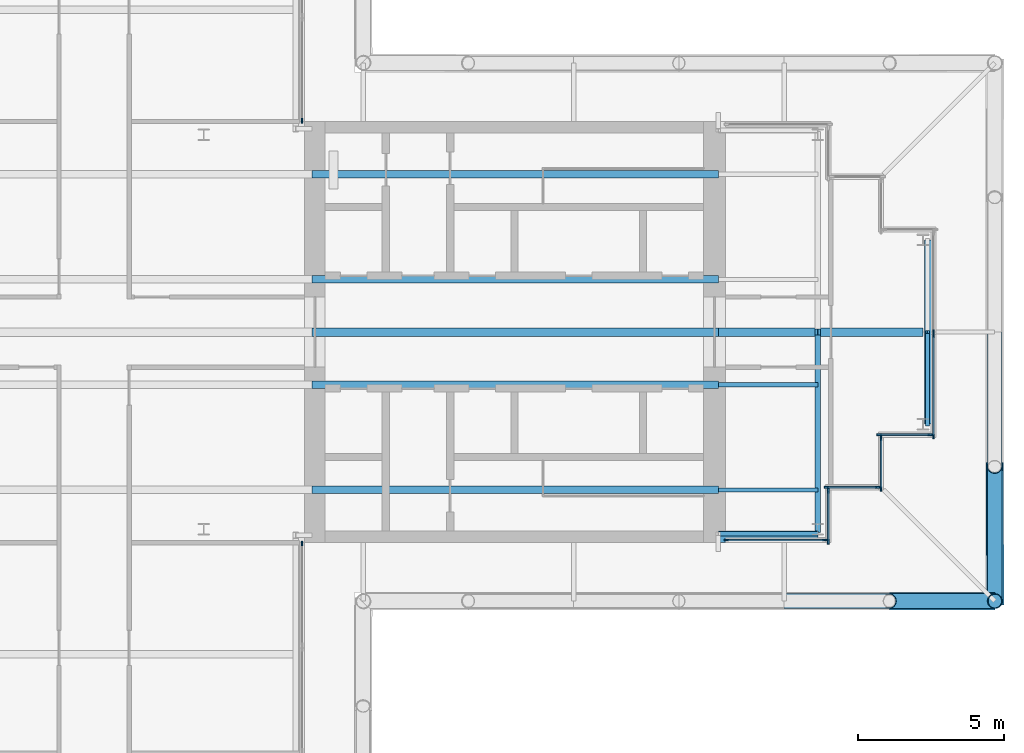
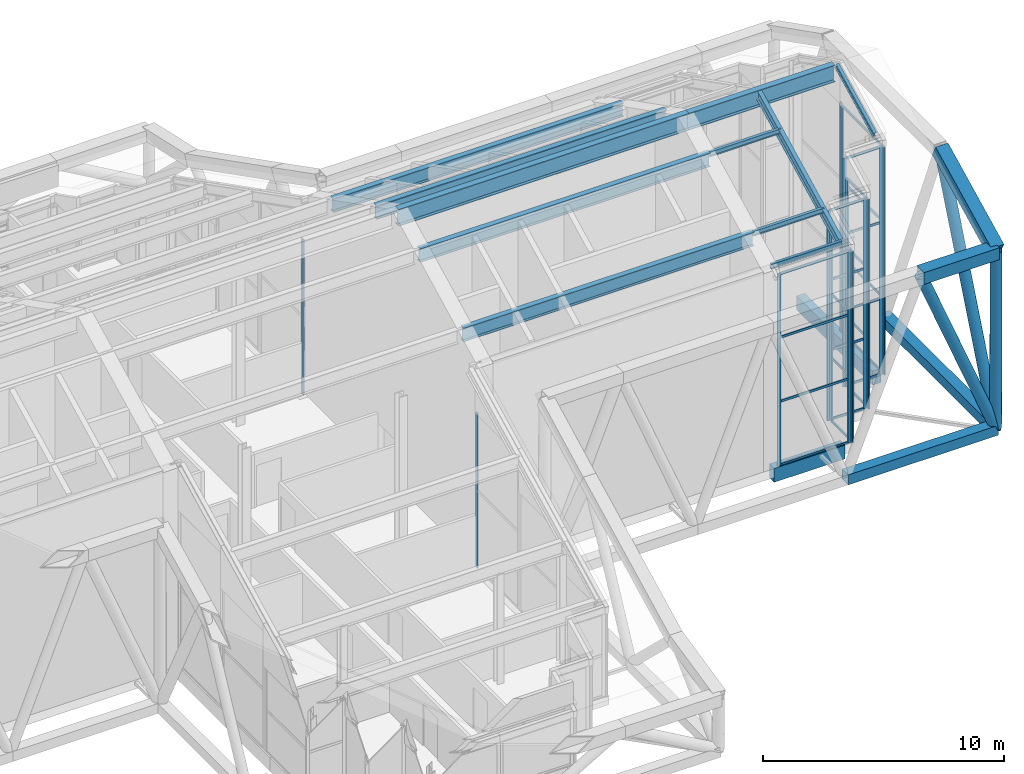
# One storey, part 10 of 25: 46 members, 13 beams, 9 elements without a shape of their own.
"""IFC4 building model written with IfcOpenShell, lengths in metres."""

from ifc_helpers import new_model, si_unit, direction, frame, origin, origin_2d, place, context, subcontext, project, spatial, rectangle, hollow_rectangle, hollow_circle, i_section, extrude, material, material_profile, profile_set, type_object, element, aggregate, save


model = new_model("IFC4")

# Units and contexts
model_context = context("Model", 3, precision=1e-05, world=origin(), true_north=direction((0.0, 1.0)))
body_context = subcontext(model_context, "Body", "Model", "MODEL_VIEW")
ifc_project = project(units=[si_unit("LENGTHUNIT", "METRE"), si_unit("AREAUNIT", "SQUARE_METRE"), si_unit("VOLUMEUNIT", "CUBIC_METRE"), si_unit("PLANEANGLEUNIT", "RADIAN"), si_unit("MASSUNIT", "GRAM", prefix="KILO")], contexts=[model_context])

# Site, building, storey
site_placement = place(None, origin())
site = spatial("IfcSite", under=ifc_project, at=site_placement, CompositionType="ELEMENT")
building_placement = place(site_placement, origin())
building = spatial("IfcBuilding", under=site, at=building_placement, Name="Fustian Cross Tower", CompositionType="ELEMENT")
storey_placement = place(building_placement, frame((0.0, 0.0, 247.5)))
storey = spatial("IfcBuildingStorey", under=building, at=storey_placement, Name="L77", CompositionType="ELEMENT", Elevation=247.5)

# Curtain wall, members
ifc_material_1 = material(Name="Glass", Category="glass")
curtain_wall_type = type_object("IfcCurtainWallType", Name="CW6 CURTAIN WALL", PredefinedType="NOTDEFINED", material=ifc_material_1)
curtain_wall_1_placement = place(storey_placement, origin())
curtain_wall_1 = element("IfcCurtainWall", 1, at=curtain_wall_1_placement, inside=storey, type_object=curtain_wall_type, Name="Curtain wall CW6", PredefinedType="NOTDEFINED")
ifc_material_2 = material(Name="Aluminium alloy 6063", Category="aluminium")
ifc_material_profile_1 = material_profile(ifc_material_2, rectangle(XDim=0.06005859375, YDim=0.159912109375, at=origin_2d()), Name="CW6 MULLION 60x160")
ifc_profile_set_1 = profile_set([ifc_material_profile_1], Name="Aluminium alloy 6063")
member_type_1 = type_object("IfcMemberType", Name="CW6 MULLION 60x160", PredefinedType="MULLION", material=ifc_profile_set_1)
member_1_placement = place(storey_placement, frame((21.6298828125, -7.110107421875, 0.0), z_axis=(0.0, 0.0, 1.0), x_axis=(0.0, 1.0, 0.0)))
member_1 = element("IfcMember", 2, at=member_1_placement, type_object=member_type_1, Name="CW6 mullion 1", PredefinedType="MULLION", context=body_context, shape_type="SweptSolid", body=[
    extrude(rectangle(XDim=0.06005859375, YDim=0.159912109375, at=origin_2d()), origin(), (0.0, 0.0, 1.0), 9.729248046875),
])
member_2_placement = place(storey_placement, frame((24.989990234375, -7.110107421875, 0.0), z_axis=(0.0, 0.0, 1.0), x_axis=(0.0, 1.0, 0.0)))
member_2 = element("IfcMember", 3, at=member_2_placement, type_object=member_type_1, Name="CW6 mullion 2", PredefinedType="MULLION", context=body_context, shape_type="SweptSolid", body=[
    extrude(rectangle(XDim=0.06005859375, YDim=0.159912109375, at=origin_2d()), origin(), (0.0, 0.0, 1.0), 9.729248046875),
])

curtain_wall_2_placement = place(storey_placement, origin())
curtain_wall_2 = element("IfcCurtainWall", 4, at=curtain_wall_2_placement, inside=storey, type_object=curtain_wall_type, Name="Curtain wall CW6", PredefinedType="NOTDEFINED")
member_3_placement = place(storey_placement, frame((25.110107421875, -7.169921875, 0.0), z_axis=(0.0, 0.0, 1.0), x_axis=(-1.0, 0.0, 0.0)))
member_3 = element("IfcMember", 5, at=member_3_placement, type_object=member_type_1, Name="CW6 mullion 1", PredefinedType="MULLION", context=body_context, shape_type="SweptSolid", body=[
    extrude(rectangle(XDim=0.06005859375, YDim=0.159912109375, at=origin_2d()), origin(), (0.0, 0.0, 1.0), 9.683349609375),
])
member_4_placement = place(storey_placement, frame((25.110107421875, -5.429931640625, 0.0), z_axis=(0.0, 0.0, 1.0), x_axis=(-1.0, 0.0, 0.0)))
member_4 = element("IfcMember", 6, at=member_4_placement, type_object=member_type_1, Name="CW6 mullion 2", PredefinedType="MULLION", context=body_context, shape_type="SweptSolid", body=[
    extrude(rectangle(XDim=0.06005859375, YDim=0.159912109375, at=origin_2d()), origin(), (0.0, 0.0, 1.0), 9.683349609375),
])

curtain_wall_3_placement = place(storey_placement, origin())
curtain_wall_3 = element("IfcCurtainWall", 7, at=curtain_wall_3_placement, inside=storey, type_object=curtain_wall_type, Name="Curtain wall CW6", PredefinedType="NOTDEFINED")
member_5_placement = place(storey_placement, frame((25.050048828125, -5.31005859375, 0.0), z_axis=(0.0, 0.0, 1.0), x_axis=(0.0, 1.0, 0.0)))
member_5 = element("IfcMember", 8, at=member_5_placement, type_object=member_type_1, Name="CW6 mullion 1", PredefinedType="MULLION", context=body_context, shape_type="SweptSolid", body=[
    extrude(rectangle(XDim=0.06005859375, YDim=0.159912109375, at=origin_2d()), origin(), (0.0, 0.0, 1.0), 10.645751953125),
])
member_6_placement = place(storey_placement, frame((26.7900390625, -5.31005859375, 0.0), z_axis=(0.0, 0.0, 1.0), x_axis=(0.0, 1.0, 0.0)))
member_6 = element("IfcMember", 9, at=member_6_placement, type_object=member_type_1, Name="CW6 mullion 2", PredefinedType="MULLION", context=body_context, shape_type="SweptSolid", body=[
    extrude(rectangle(XDim=0.06005859375, YDim=0.159912109375, at=origin_2d()), origin(), (0.0, 0.0, 1.0), 10.645751953125),
])

curtain_wall_4_placement = place(storey_placement, origin())
curtain_wall_4 = element("IfcCurtainWall", 10, at=curtain_wall_4_placement, inside=storey, type_object=curtain_wall_type, Name="Curtain wall CW6", PredefinedType="NOTDEFINED")
member_7_placement = place(storey_placement, frame((26.909912109375, -5.3701171875, 0.0), z_axis=(0.0, 0.0, 1.0), x_axis=(-1.0, 0.0, 0.0)))
member_7 = element("IfcMember", 11, at=member_7_placement, type_object=member_type_1, Name="CW6 mullion 1", PredefinedType="MULLION", context=body_context, shape_type="SweptSolid", body=[
    extrude(rectangle(XDim=0.06005859375, YDim=0.159912109375, at=origin_2d()), origin(), (0.0, 0.0, 1.0), 10.60009765625),
])
member_8_placement = place(storey_placement, frame((26.909912109375, -3.6298828125, 0.0), z_axis=(0.0, 0.0, 1.0), x_axis=(-1.0, 0.0, 0.0)))
member_8 = element("IfcMember", 12, at=member_8_placement, type_object=member_type_1, Name="CW6 mullion 2", PredefinedType="MULLION", context=body_context, shape_type="SweptSolid", body=[
    extrude(rectangle(XDim=0.06005859375, YDim=0.159912109375, at=origin_2d()), origin(), (0.0, 0.0, 1.0), 10.60009765625),
])

curtain_wall_5_placement = place(storey_placement, origin())
curtain_wall_5 = element("IfcCurtainWall", 13, at=curtain_wall_5_placement, inside=storey, type_object=curtain_wall_type, Name="Curtain wall CW6", PredefinedType="NOTDEFINED")
member_9_placement = place(storey_placement, frame((26.85009765625, -3.510009765625, 0.0), z_axis=(0.0, 0.0, 1.0), x_axis=(0.0, 1.0, 0.0)))
member_9 = element("IfcMember", 14, at=member_9_placement, type_object=member_type_1, Name="CW6 mullion 1", PredefinedType="MULLION", context=body_context, shape_type="SweptSolid", body=[
    extrude(rectangle(XDim=0.06005859375, YDim=0.159912109375, at=origin_2d()), origin(), (0.0, 0.0, 1.0), 11.5625),
])
member_10_placement = place(storey_placement, frame((28.590087890625, -3.510009765625, 0.0), z_axis=(0.0, 0.0, 1.0), x_axis=(0.0, 1.0, 0.0)))
member_10 = element("IfcMember", 15, at=member_10_placement, type_object=member_type_1, Name="CW6 mullion 2", PredefinedType="MULLION", context=body_context, shape_type="SweptSolid", body=[
    extrude(rectangle(XDim=0.06005859375, YDim=0.159912109375, at=origin_2d()), origin(), (0.0, 0.0, 1.0), 11.5625),
])

curtain_wall_6_placement = place(storey_placement, origin())
curtain_wall_6 = element("IfcCurtainWall", 16, at=curtain_wall_6_placement, inside=storey, type_object=curtain_wall_type, Name="Curtain wall CW6", PredefinedType="NOTDEFINED")
member_11_placement = place(storey_placement, frame((28.7099609375, -3.570068359375, 0.0), z_axis=(0.0, 0.0, 1.0), x_axis=(-1.0, 0.0, 0.0)))
member_11 = element("IfcMember", 17, at=member_11_placement, type_object=member_type_1, Name="CW6 mullion 1", PredefinedType="MULLION", context=body_context, shape_type="SweptSolid", body=[
    extrude(rectangle(XDim=0.06005859375, YDim=0.159912109375, at=origin_2d()), origin(), (0.0, 0.0, 1.0), 11.5166015625),
])
member_12_placement = place(storey_placement, frame((28.7099609375, -0.1201171875, 0.0), z_axis=(0.0, 0.0, 1.0), x_axis=(-1.0, 0.0, 0.0)))
member_12 = element("IfcMember", 18, at=member_12_placement, type_object=member_type_1, Name="CW6 mullion 2", PredefinedType="MULLION", context=body_context, shape_type="SweptSolid", body=[
    extrude(rectangle(XDim=0.06005859375, YDim=0.159912109375, at=origin_2d()), origin(), (0.0, 0.0, 1.0), 11.5166015625),
])

# Curtain wall, member
curtain_wall_7_placement = place(storey_placement, origin())
curtain_wall_7 = element("IfcCurtainWall", 19, at=curtain_wall_7_placement, inside=storey, type_object=curtain_wall_type, Name="Curtain wall CW6", PredefinedType="NOTDEFINED")
member_13_placement = place(storey_placement, frame((28.7099609375, 0.0, 0.0), z_axis=(0.0, 0.0, 1.0), x_axis=(-1.0, 0.0, 0.0)))
member_13 = element("IfcMember", 20, at=member_13_placement, type_object=member_type_1, Name="CW6 mullion 1", PredefinedType="MULLION", context=body_context, shape_type="SweptSolid", body=[
    extrude(rectangle(XDim=0.06005859375, YDim=0.159912109375, at=origin_2d()), origin(), (0.0, 0.0, 1.0), 11.6083984375),
])
aggregate(curtain_wall_7, [member_13])

curtain_wall_8_placement = place(storey_placement, origin())
curtain_wall_8 = element("IfcCurtainWall", 21, at=curtain_wall_8_placement, inside=storey, type_object=curtain_wall_type, Name="Curtain wall CW6", PredefinedType="NOTDEFINED")
member_14_placement = place(storey_placement, frame((7.110107421875, 7.22998046875, 0.0), z_axis=(0.0, 0.0, 1.0), x_axis=(-1.0, 0.0, 0.0)))
member_14 = element("IfcMember", 22, at=member_14_placement, type_object=member_type_1, Name="CW6 mullion 1", PredefinedType="MULLION", context=body_context, shape_type="SweptSolid", body=[
    extrude(rectangle(XDim=0.06005859375, YDim=0.159912109375, at=origin_2d()), origin(), (0.0, 0.0, 1.0), 7.880615234375),
])
aggregate(curtain_wall_8, [member_14])

curtain_wall_9_placement = place(storey_placement, origin())
curtain_wall_9 = element("IfcCurtainWall", 23, at=curtain_wall_9_placement, inside=storey, type_object=curtain_wall_type, Name="Curtain wall CW6", PredefinedType="NOTDEFINED")
member_15_placement = place(storey_placement, frame((7.110107421875, -7.22998046875, 0.0), z_axis=(0.0, 0.0, 1.0), x_axis=(-1.0, 0.0, 0.0)))
member_15 = element("IfcMember", 24, at=member_15_placement, type_object=member_type_1, Name="CW6 mullion 2", PredefinedType="MULLION", context=body_context, shape_type="SweptSolid", body=[
    extrude(rectangle(XDim=0.06005859375, YDim=0.159912109375, at=origin_2d()), origin(), (0.0, 0.0, 1.0), 7.85009765625),
])
aggregate(curtain_wall_9, [member_15])

# Member
ifc_material_3 = material(Name="Aluminium alloy 6063", Category="aluminium")
ifc_material_profile_2 = material_profile(ifc_material_3, rectangle(XDim=0.06005859375, YDim=0.1201171875, at=origin_2d()), Name="CW6 TRANSOM 60x120")
ifc_profile_set_2 = profile_set([ifc_material_profile_2], Name="Aluminium alloy 6063")
member_type_2 = type_object("IfcMemberType", Name="CW6 TRANSOM 60x120", PredefinedType="USERDEFINED", material=ifc_profile_set_2)
member_16_placement = place(storey_placement, frame((21.659912109375, -7.110107421875, 0.030029296875), z_axis=(1.0, 0.0, 0.0), x_axis=(0.0, 1.0, 0.0)))
member_16 = element("IfcMember", 25, at=member_16_placement, type_object=member_type_2, Name="CW6 transom 1.1", ObjectType="TRANSOM", PredefinedType="USERDEFINED", context=body_context, shape_type="SweptSolid", body=[
    extrude(rectangle(XDim=0.06005859375, YDim=0.1201171875, at=origin_2d()), origin(), (0.0, 0.0, 1.0), 3.300048828125),
])

member_17_placement = place(storey_placement, frame((21.659912109375, -7.110107421875, 3.2431640625), z_axis=(1.0, 0.0, 0.0), x_axis=(0.0, 1.0, 0.0)))
member_17 = element("IfcMember", 26, at=member_17_placement, type_object=member_type_2, Name="CW6 transom 1.2", ObjectType="TRANSOM", PredefinedType="USERDEFINED", context=body_context, shape_type="SweptSolid", body=[
    extrude(rectangle(XDim=0.06005859375, YDim=0.1201171875, at=origin_2d()), origin(), (0.0, 0.0, 1.0), 3.300048828125),
])

member_18_placement = place(storey_placement, frame((21.659912109375, -7.110107421875, 6.486083984375), z_axis=(1.0, 0.0, 0.0), x_axis=(0.0, 1.0, 0.0)))
member_18 = element("IfcMember", 27, at=member_18_placement, type_object=member_type_2, Name="CW6 transom 1.3", ObjectType="TRANSOM", PredefinedType="USERDEFINED", context=body_context, shape_type="SweptSolid", body=[
    extrude(rectangle(XDim=0.06005859375, YDim=0.1201171875, at=origin_2d()), origin(), (0.0, 0.0, 1.0), 3.300048828125),
])

member_19_placement = place(storey_placement, frame((21.659912109375, -7.110107421875, 9.69921875), z_axis=(1.0, 0.0, 0.0), x_axis=(0.0, 1.0, 0.0)))
member_19 = element("IfcMember", 28, at=member_19_placement, type_object=member_type_2, Name="CW6 transom 1.4", ObjectType="TRANSOM", PredefinedType="USERDEFINED", context=body_context, shape_type="SweptSolid", body=[
    extrude(rectangle(XDim=0.06005859375, YDim=0.1201171875, at=origin_2d()), origin(), (0.0, 0.0, 1.0), 3.300048828125),
])

aggregate(curtain_wall_1, [member_1, member_2, member_16, member_17, member_18, member_19])

member_20_placement = place(storey_placement, frame((25.110107421875, -7.139892578125, 0.030029296875), z_axis=(0.0, 1.0, 0.0), x_axis=(-1.0, 0.0, 0.0)))
member_20 = element("IfcMember", 29, at=member_20_placement, type_object=member_type_2, Name="CW6 transom 1.1", ObjectType="TRANSOM", PredefinedType="USERDEFINED", context=body_context, shape_type="SweptSolid", body=[
    extrude(rectangle(XDim=0.06005859375, YDim=0.1201171875, at=origin_2d()), origin(), (0.0, 0.0, 1.0), 1.679931640625),
])

member_21_placement = place(storey_placement, frame((25.110107421875, -7.139892578125, 3.227783203125), z_axis=(0.0, 1.0, 0.0), x_axis=(-1.0, 0.0, 0.0)))
member_21 = element("IfcMember", 30, at=member_21_placement, type_object=member_type_2, Name="CW6 transom 1.2", ObjectType="TRANSOM", PredefinedType="USERDEFINED", context=body_context, shape_type="SweptSolid", body=[
    extrude(rectangle(XDim=0.06005859375, YDim=0.1201171875, at=origin_2d()), origin(), (0.0, 0.0, 1.0), 1.679931640625),
])

member_22_placement = place(storey_placement, frame((25.110107421875, -7.139892578125, 6.45556640625), z_axis=(0.0, 1.0, 0.0), x_axis=(-1.0, 0.0, 0.0)))
member_22 = element("IfcMember", 31, at=member_22_placement, type_object=member_type_2, Name="CW6 transom 1.3", ObjectType="TRANSOM", PredefinedType="USERDEFINED", context=body_context, shape_type="SweptSolid", body=[
    extrude(rectangle(XDim=0.06005859375, YDim=0.1201171875, at=origin_2d()), origin(), (0.0, 0.0, 1.0), 1.679931640625),
])

member_23_placement = place(storey_placement, frame((25.110107421875, -7.139892578125, 9.6533203125), z_axis=(0.0, 1.0, 0.0), x_axis=(-1.0, 0.0, 0.0)))
member_23 = element("IfcMember", 32, at=member_23_placement, type_object=member_type_2, Name="CW6 transom 1.4", ObjectType="TRANSOM", PredefinedType="USERDEFINED", context=body_context, shape_type="SweptSolid", body=[
    extrude(rectangle(XDim=0.06005859375, YDim=0.1201171875, at=origin_2d()), origin(), (0.0, 0.0, 1.0), 1.679931640625),
])

aggregate(curtain_wall_2, [member_3, member_4, member_20, member_21, member_22, member_23])

member_24_placement = place(storey_placement, frame((25.080078125, -5.31005859375, 0.030029296875), z_axis=(1.0, 0.0, 0.0), x_axis=(0.0, 1.0, 0.0)))
member_24 = element("IfcMember", 33, at=member_24_placement, type_object=member_type_2, Name="CW6 transom 1.1", ObjectType="TRANSOM", PredefinedType="USERDEFINED", context=body_context, shape_type="SweptSolid", body=[
    extrude(rectangle(XDim=0.06005859375, YDim=0.1201171875, at=origin_2d()), origin(), (0.0, 0.0, 1.0), 1.679931640625),
])

member_25_placement = place(storey_placement, frame((25.080078125, -5.31005859375, 3.548583984375), z_axis=(1.0, 0.0, 0.0), x_axis=(0.0, 1.0, 0.0)))
member_25 = element("IfcMember", 34, at=member_25_placement, type_object=member_type_2, Name="CW6 transom 1.2", ObjectType="TRANSOM", PredefinedType="USERDEFINED", context=body_context, shape_type="SweptSolid", body=[
    extrude(rectangle(XDim=0.06005859375, YDim=0.1201171875, at=origin_2d()), origin(), (0.0, 0.0, 1.0), 1.679931640625),
])

member_26_placement = place(storey_placement, frame((25.080078125, -5.31005859375, 7.09716796875), z_axis=(1.0, 0.0, 0.0), x_axis=(0.0, 1.0, 0.0)))
member_26 = element("IfcMember", 35, at=member_26_placement, type_object=member_type_2, Name="CW6 transom 1.3", ObjectType="TRANSOM", PredefinedType="USERDEFINED", context=body_context, shape_type="SweptSolid", body=[
    extrude(rectangle(XDim=0.06005859375, YDim=0.1201171875, at=origin_2d()), origin(), (0.0, 0.0, 1.0), 1.679931640625),
])

member_27_placement = place(storey_placement, frame((25.080078125, -5.31005859375, 10.61572265625), z_axis=(1.0, 0.0, 0.0), x_axis=(0.0, 1.0, 0.0)))
member_27 = element("IfcMember", 36, at=member_27_placement, type_object=member_type_2, Name="CW6 transom 1.4", ObjectType="TRANSOM", PredefinedType="USERDEFINED", context=body_context, shape_type="SweptSolid", body=[
    extrude(rectangle(XDim=0.06005859375, YDim=0.1201171875, at=origin_2d()), origin(), (0.0, 0.0, 1.0), 1.679931640625),
])

aggregate(curtain_wall_3, [member_5, member_6, member_24, member_25, member_26, member_27])

member_28_placement = place(storey_placement, frame((26.909912109375, -5.340087890625, 0.030029296875), z_axis=(0.0, 1.0, 0.0), x_axis=(-1.0, 0.0, 0.0)))
member_28 = element("IfcMember", 37, at=member_28_placement, type_object=member_type_2, Name="CW6 transom 1.1", ObjectType="TRANSOM", PredefinedType="USERDEFINED", context=body_context, shape_type="SweptSolid", body=[
    extrude(rectangle(XDim=0.06005859375, YDim=0.1201171875, at=origin_2d()), origin(), (0.0, 0.0, 1.0), 1.68017578125),
])

member_29_placement = place(storey_placement, frame((26.909912109375, -5.340087890625, 3.533447265625), z_axis=(0.0, 1.0, 0.0), x_axis=(-1.0, 0.0, 0.0)))
member_29 = element("IfcMember", 38, at=member_29_placement, type_object=member_type_2, Name="CW6 transom 1.2", ObjectType="TRANSOM", PredefinedType="USERDEFINED", context=body_context, shape_type="SweptSolid", body=[
    extrude(rectangle(XDim=0.06005859375, YDim=0.1201171875, at=origin_2d()), origin(), (0.0, 0.0, 1.0), 1.68017578125),
])

member_30_placement = place(storey_placement, frame((26.909912109375, -5.340087890625, 7.066650390625), z_axis=(0.0, 1.0, 0.0), x_axis=(-1.0, 0.0, 0.0)))
member_30 = element("IfcMember", 39, at=member_30_placement, type_object=member_type_2, Name="CW6 transom 1.3", ObjectType="TRANSOM", PredefinedType="USERDEFINED", context=body_context, shape_type="SweptSolid", body=[
    extrude(rectangle(XDim=0.06005859375, YDim=0.1201171875, at=origin_2d()), origin(), (0.0, 0.0, 1.0), 1.68017578125),
])

member_31_placement = place(storey_placement, frame((26.909912109375, -5.340087890625, 10.570068359375), z_axis=(0.0, 1.0, 0.0), x_axis=(-1.0, 0.0, 0.0)))
member_31 = element("IfcMember", 40, at=member_31_placement, type_object=member_type_2, Name="CW6 transom 1.4", ObjectType="TRANSOM", PredefinedType="USERDEFINED", context=body_context, shape_type="SweptSolid", body=[
    extrude(rectangle(XDim=0.06005859375, YDim=0.1201171875, at=origin_2d()), origin(), (0.0, 0.0, 1.0), 1.68017578125),
])

aggregate(curtain_wall_4, [member_7, member_8, member_28, member_29, member_30, member_31])

member_32_placement = place(storey_placement, frame((26.8798828125, -3.510009765625, 0.030029296875), z_axis=(1.0, 0.0, 0.0), x_axis=(0.0, 1.0, 0.0)))
member_32 = element("IfcMember", 41, at=member_32_placement, type_object=member_type_2, Name="CW6 transom 1.1", ObjectType="TRANSOM", PredefinedType="USERDEFINED", context=body_context, shape_type="SweptSolid", body=[
    extrude(rectangle(XDim=0.06005859375, YDim=0.1201171875, at=origin_2d()), origin(), (0.0, 0.0, 1.0), 1.68017578125),
])

member_33_placement = place(storey_placement, frame((26.8798828125, -3.510009765625, 3.854248046875), z_axis=(1.0, 0.0, 0.0), x_axis=(0.0, 1.0, 0.0)))
member_33 = element("IfcMember", 42, at=member_33_placement, type_object=member_type_2, Name="CW6 transom 1.2", ObjectType="TRANSOM", PredefinedType="USERDEFINED", context=body_context, shape_type="SweptSolid", body=[
    extrude(rectangle(XDim=0.06005859375, YDim=0.1201171875, at=origin_2d()), origin(), (0.0, 0.0, 1.0), 1.68017578125),
])

member_34_placement = place(storey_placement, frame((26.8798828125, -3.510009765625, 7.708251953125), z_axis=(1.0, 0.0, 0.0), x_axis=(0.0, 1.0, 0.0)))
member_34 = element("IfcMember", 43, at=member_34_placement, type_object=member_type_2, Name="CW6 transom 1.3", ObjectType="TRANSOM", PredefinedType="USERDEFINED", context=body_context, shape_type="SweptSolid", body=[
    extrude(rectangle(XDim=0.06005859375, YDim=0.1201171875, at=origin_2d()), origin(), (0.0, 0.0, 1.0), 1.68017578125),
])

member_35_placement = place(storey_placement, frame((26.8798828125, -3.510009765625, 11.532470703125), z_axis=(1.0, 0.0, 0.0), x_axis=(0.0, 1.0, 0.0)))
member_35 = element("IfcMember", 44, at=member_35_placement, type_object=member_type_2, Name="CW6 transom 1.4", ObjectType="TRANSOM", PredefinedType="USERDEFINED", context=body_context, shape_type="SweptSolid", body=[
    extrude(rectangle(XDim=0.06005859375, YDim=0.1201171875, at=origin_2d()), origin(), (0.0, 0.0, 1.0), 1.68017578125),
])

aggregate(curtain_wall_5, [member_9, member_10, member_32, member_33, member_34, member_35])

member_36_placement = place(storey_placement, frame((28.7099609375, -3.5400390625, 0.030029296875), z_axis=(0.0, 1.0, 0.0), x_axis=(-1.0, 0.0, 0.0)))
member_36 = element("IfcMember", 45, at=member_36_placement, type_object=member_type_2, Name="CW6 transom 1.1", ObjectType="TRANSOM", PredefinedType="USERDEFINED", context=body_context, shape_type="SweptSolid", body=[
    extrude(rectangle(XDim=0.06005859375, YDim=0.1201171875, at=origin_2d()), origin(), (0.0, 0.0, 1.0), 3.39013671875),
])

member_37_placement = place(storey_placement, frame((28.7099609375, -3.5400390625, 3.8388671875), z_axis=(0.0, 1.0, 0.0), x_axis=(-1.0, 0.0, 0.0)))
member_37 = element("IfcMember", 46, at=member_37_placement, type_object=member_type_2, Name="CW6 transom 1.2", ObjectType="TRANSOM", PredefinedType="USERDEFINED", context=body_context, shape_type="SweptSolid", body=[
    extrude(rectangle(XDim=0.06005859375, YDim=0.1201171875, at=origin_2d()), origin(), (0.0, 0.0, 1.0), 3.39013671875),
])

member_38_placement = place(storey_placement, frame((28.7099609375, -3.5400390625, 7.677734375), z_axis=(0.0, 1.0, 0.0), x_axis=(-1.0, 0.0, 0.0)))
member_38 = element("IfcMember", 47, at=member_38_placement, type_object=member_type_2, Name="CW6 transom 1.3", ObjectType="TRANSOM", PredefinedType="USERDEFINED", context=body_context, shape_type="SweptSolid", body=[
    extrude(rectangle(XDim=0.06005859375, YDim=0.1201171875, at=origin_2d()), origin(), (0.0, 0.0, 1.0), 3.39013671875),
])

member_39_placement = place(storey_placement, frame((28.7099609375, -3.5400390625, 11.486572265625), z_axis=(0.0, 1.0, 0.0), x_axis=(-1.0, 0.0, 0.0)))
member_39 = element("IfcMember", 48, at=member_39_placement, type_object=member_type_2, Name="CW6 transom 1.4", ObjectType="TRANSOM", PredefinedType="USERDEFINED", context=body_context, shape_type="SweptSolid", body=[
    extrude(rectangle(XDim=0.06005859375, YDim=0.1201171875, at=origin_2d()), origin(), (0.0, 0.0, 1.0), 3.39013671875),
])

aggregate(curtain_wall_6, [member_11, member_12, member_36, member_37, member_38, member_39])

# Members
ifc_material_4 = material(Name="Steel S355", Category="steel")
ifc_material_profile_3 = material_profile(ifc_material_4, hollow_circle(Radius=0.25390625, WallThickness=0.02001953125, at=origin_2d()), Name="CHS 508x20")
ifc_profile_set_3 = profile_set([ifc_material_profile_3], Name="Steel S355")
member_type_3 = type_object("IfcMemberType", Name="DIAGRID DIAGONAL CHS 508x20", PredefinedType="BRACE", material=ifc_profile_set_3)
member_40_placement = place(storey_placement, frame((30.800048828125, -9.199951171875, 0.0), z_axis=(-0.372653908684, 0.0, 0.927970400575), x_axis=(0.0, -1.0, 0.0)))
element("IfcMember", 49, at=member_40_placement, inside=storey, type_object=member_type_3, Name="Diagrid diagonal E-S 07", PredefinedType="BRACE", context=body_context, shape_type="SweptSolid", body=[
    extrude(hollow_circle(Radius=0.25390625, WallThickness=0.02001953125, at=origin_2d()), origin(), (0.0, 0.0, 1.0), 9.66064453125),
])
member_41_placement = place(storey_placement, frame((30.800048828125, -9.199951171875, 0.0), z_axis=(0.00212487216, -0.000653806818, 0.999997528724), x_axis=(0.294085848838, 0.955779008722, 0.0)))
element("IfcMember", 50, at=member_41_placement, inside=storey, type_object=member_type_3, Name="Diagrid diagonal E-S 08", PredefinedType="BRACE", context=body_context, shape_type="SweptSolid", body=[
    extrude(hollow_circle(Radius=0.25390625, WallThickness=0.02001953125, at=origin_2d()), origin(), (0.0, 0.0, 1.0), 8.9619140625),
])
member_42_placement = place(storey_placement, frame((30.800048828125, -9.199951171875, 0.0), z_axis=(0.0, 0.376815289386, 0.926288420356), x_axis=(-1.0, 0.0, 0.0)))
element("IfcMember", 51, at=member_42_placement, inside=storey, type_object=member_type_3, Name="Diagrid diagonal E-end 01", PredefinedType="BRACE", context=body_context, shape_type="SweptSolid", body=[
    extrude(hollow_circle(Radius=0.25390625, WallThickness=0.02001953125, at=origin_2d()), origin(), (0.0, 0.0, 1.0), 12.207275390625),
])
ifc_material_5 = material(Name="Steel S355", Category="steel")
ifc_material_profile_4 = material_profile(ifc_material_5, hollow_rectangle(XDim=0.5, YDim=0.5, WallThickness=0.02490234375, at=origin_2d()), Name="RHS 500x500x25")
ifc_profile_set_4 = profile_set([ifc_material_profile_4], Name="Steel S355")
member_type_4 = type_object("IfcMemberType", Name="DIAGRID RING RHS 500x500x25", PredefinedType="MEMBER", material=ifc_profile_set_4)
member_43_placement = place(storey_placement, frame((23.60009765625, -9.199951171875, 0.0), z_axis=(1.0, 0.0, 0.0), x_axis=(0.0, 1.0, 0.0)))
element("IfcMember", 52, at=member_43_placement, inside=storey, type_object=member_type_4, Name="Diagrid ring L77-28 L77-29", PredefinedType="MEMBER", context=body_context, shape_type="SweptSolid", body=[
    extrude(hollow_rectangle(XDim=0.5, YDim=0.5, WallThickness=0.02490234375, at=origin_2d()), origin(), (0.0, 0.0, 1.0), 7.199951171875),
])
member_44_placement = place(storey_placement, frame((30.800048828125, -9.199951171875, 0.0), z_axis=(0.0, 1.0, 0.0), x_axis=(-1.0, 0.0, 0.0)))
element("IfcMember", 53, at=member_44_placement, inside=storey, type_object=member_type_4, Name="Diagrid ring L77-29 L77-01", PredefinedType="MEMBER", context=body_context, shape_type="SweptSolid", body=[
    extrude(hollow_rectangle(XDim=0.5, YDim=0.5, WallThickness=0.02490234375, at=origin_2d()), origin(), (0.0, 0.0, 1.0), 9.199951171875),
])
ifc_material_6 = material(Name="Steel S355", Category="steel")
ifc_material_profile_5 = material_profile(ifc_material_6, hollow_rectangle(XDim=0.60009765625, YDim=0.60009765625, WallThickness=0.030029296875, at=origin_2d()), Name="RHS 600x600x30")
ifc_profile_set_5 = profile_set([ifc_material_profile_5], Name="Steel S355")
member_type_5 = type_object("IfcMemberType", Name="DIAGRID RING RHS 600x600x30", PredefinedType="MEMBER", material=ifc_profile_set_5)
member_45_placement = place(storey_placement, frame((27.199951171875, -9.199951171875, 8.96484375), z_axis=(0.999998361786, -0.00161899357, -0.000809496785), x_axis=(0.001618994101, 0.999998689428, 0.0)))
element("IfcMember", 54, at=member_45_placement, inside=storey, type_object=member_type_5, Name="Diagrid ring TOP-39 TOP-40", PredefinedType="MEMBER", context=body_context, shape_type="SweptSolid", body=[
    extrude(hollow_rectangle(XDim=0.60009765625, YDim=0.60009765625, WallThickness=0.030029296875, at=origin_2d()), origin(), (0.0, 0.0, 1.0), 3.619140625),
])
member_46_placement = place(storey_placement, frame((30.819091796875, -9.205810546875, 8.9619140625), z_axis=(-0.003684377515, 0.891099767004, 0.453792497302), x_axis=(-0.999991452482, -0.004134605528, 0.0)))
element("IfcMember", 55, at=member_46_placement, inside=storey, type_object=member_type_5, Name="Diagrid ring TOP-40 TOP-41", PredefinedType="MEMBER", context=body_context, shape_type="SweptSolid", body=[
    extrude(hollow_rectangle(XDim=0.60009765625, YDim=0.60009765625, WallThickness=0.030029296875, at=origin_2d()), origin(), (0.0, 0.0, 1.0), 5.16845703125),
])

# Beams
ifc_material_7 = material(Name="Concrete C50/60", Category="concrete")
ifc_material_profile_6 = material_profile(ifc_material_7, rectangle(XDim=0.39990234375, YDim=0.699951171875, at=origin_2d()), Name="RC 400x700")
ifc_profile_set_6 = profile_set([ifc_material_profile_6], Name="Concrete C50/60")
beam_type_1 = type_object("IfcBeamType", Name="EDGE BEAM RC 400x700 C50/60", PredefinedType="SPANDREL", material=ifc_profile_set_6)
beam_1_placement = place(storey_placement, frame((21.35009765625, -7.0, -0.35009765625), z_axis=(1.0, 0.0, 0.0), x_axis=(0.0, 1.0, 0.0)))
element("IfcBeam", 56, at=beam_1_placement, inside=storey, type_object=beam_type_1, Name="EDGE BEAM L77-01", PredefinedType="SPANDREL", context=body_context, shape_type="SweptSolid", body=[
    extrude(rectangle(XDim=0.39990234375, YDim=0.699951171875, at=origin_2d()), origin(), (0.0, 0.0, 1.0), 3.39990234375),
])
beam_2_placement = place(storey_placement, frame((28.60009765625, -3.14990234375, -0.35009765625), z_axis=(0.0, 1.0, 0.0), x_axis=(-1.0, 0.0, 0.0)))
element("IfcBeam", 57, at=beam_2_placement, inside=storey, type_object=beam_type_1, Name="EDGE BEAM L77-02", PredefinedType="SPANDREL", context=body_context, shape_type="SweptSolid", body=[
    extrude(rectangle(XDim=0.39990234375, YDim=0.699951171875, at=origin_2d()), origin(), (0.0, 0.0, 1.0), 6.2998046875),
])
ifc_material_8 = material(Name="Steel S355", Category="steel")
ifc_material_profile_7 = material_profile(ifc_material_8, i_section(OverallWidth=0.293701171875, OverallDepth=0.850830078125, WebThickness=0.01611328125, FlangeThickness=0.02685546875, FilletRadius=0.017822265625, at=origin_2d()), Name="UB 838x292x226")
ifc_profile_set_7 = profile_set([ifc_material_profile_7], Name="Steel S355")
beam_type_2 = type_object("IfcBeamType", Name="RIDGE GIRDER UB 838x292x226 S355", PredefinedType="BEAM", material=ifc_profile_set_7)
beam_3_placement = place(storey_placement, frame((7.449951171875, 0.0, 13.2744140625), z_axis=(1.0, 0.0, 0.0), x_axis=(0.0, 1.0, 0.0)))
element("IfcBeam", 58, at=beam_3_placement, inside=storey, type_object=beam_type_2, Name="RIDGE GIRDER 060", PredefinedType="BEAM", context=body_context, shape_type="SweptSolid", body=[
    extrude(i_section(OverallWidth=0.293701171875, OverallDepth=0.850830078125, WebThickness=0.01611328125, FlangeThickness=0.02685546875, FilletRadius=0.017822265625, at=origin_2d()), origin(), (0.0, 0.0, 1.0), 13.900146484375),
])
beam_4_placement = place(storey_placement, frame((21.35009765625, 0.0, 13.2744140625), z_axis=(1.0, 0.0, 0.0), x_axis=(0.0, 1.0, 0.0)))
element("IfcBeam", 59, at=beam_4_placement, inside=storey, type_object=beam_type_2, Name="RIDGE GIRDER 061", PredefinedType="BEAM", context=body_context, shape_type="SweptSolid", body=[
    extrude(i_section(OverallWidth=0.293701171875, OverallDepth=0.850830078125, WebThickness=0.01611328125, FlangeThickness=0.02685546875, FilletRadius=0.017822265625, at=origin_2d()), origin(), (0.0, 0.0, 1.0), 7.0),
])
ifc_material_9 = material(Name="Steel S355", Category="steel")
ifc_material_profile_8 = material_profile(ifc_material_9, i_section(OverallWidth=0.255859375, OverallDepth=0.69287109375, WebThickness=0.014404296875, FlangeThickness=0.023681640625, FilletRadius=0.01513671875, at=origin_2d()), Name="UB 686x254x170")
ifc_profile_set_8 = profile_set([ifc_material_profile_8], Name="Steel S355")
beam_type_3 = type_object("IfcBeamType", Name="ROOF PURLIN UB 686x254x170 S355", PredefinedType="BEAM", material=ifc_profile_set_8)
for number, where, z_axis, x_axis, name in (
    (60, (7.449951171875, -5.39990234375, 10.603515625), (1.0, 0.0, 0.0), (0.0, 1.0, 0.0), "ROOF BEAM 039"),
    (61, (7.449951171875, -1.800048828125, 12.43701171875), (1.0, 0.0, 0.0), (0.0, 1.0, 0.0), "ROOF BEAM 044"),
    (62, (7.449951171875, 1.800048828125, 12.43701171875), (1.0, 0.0, 0.0), (0.0, 1.0, 0.0), "ROOF BEAM 049"),
    (63, (7.449951171875, 5.39990234375, 10.603515625), (1.0, 0.0, 0.0), (0.0, 1.0, 0.0), "ROOF BEAM 054"),
):
    element("IfcBeam", number, at=place(storey_placement, frame(where, z_axis=z_axis, x_axis=x_axis)), inside=storey, type_object=beam_type_3, Name=name, PredefinedType="BEAM", context=body_context, shape_type="SweptSolid", body=[
        extrude(i_section(OverallWidth=0.255859375, OverallDepth=0.69287109375, WebThickness=0.014404296875, FlangeThickness=0.023681640625, FilletRadius=0.01513671875, at=origin_2d()), origin(), (0.0, 0.0, 1.0), 13.900146484375),
    ])
ifc_material_10 = material(Name="Steel S355", Category="steel")
ifc_material_profile_9 = material_profile(ifc_material_10, i_section(OverallWidth=0.19287109375, OverallDepth=0.46728515625, WebThickness=0.011474609375, FlangeThickness=0.01953125, FilletRadius=0.01025390625, at=origin_2d()), Name="UB 457x191x98")
ifc_profile_set_9 = profile_set([ifc_material_profile_9], Name="Steel S355")
beam_type_4 = type_object("IfcBeamType", Name="ROOF RAFTER UB 457x191x98 S355", PredefinedType="BEAM", material=ifc_profile_set_9)
beam_5_placement = place(storey_placement, frame((24.75, -6.75, 10.00048828125), z_axis=(0.0, 0.891102454825, 0.453802176068), x_axis=(-1.0, 0.0, 0.0)))
element("IfcBeam", 64, at=beam_5_placement, inside=storey, type_object=beam_type_4, Name="ROOF BEAM 033", PredefinedType="BEAM", context=body_context, shape_type="SweptSolid", body=[
    extrude(i_section(OverallWidth=0.19287109375, OverallDepth=0.46728515625, WebThickness=0.011474609375, FlangeThickness=0.01953125, FilletRadius=0.01025390625, at=origin_2d()), origin(), (0.0, 0.0, 1.0), 7.574951171875),
])
ifc_material_11 = material(Name="Steel S355", Category="steel")
ifc_material_profile_10 = material_profile(ifc_material_11, i_section(OverallWidth=0.14599609375, OverallDepth=0.25146484375, WebThickness=0.006103515625, FlangeThickness=0.008544921875, FilletRadius=0.007568359375, at=origin_2d()), Name="UB 254x146x31")
ifc_profile_set_10 = profile_set([ifc_material_profile_10], Name="Steel S355")
beam_type_5 = type_object("IfcBeamType", Name="ROOF TRIMMER UB 254x146x31 S355", PredefinedType="BEAM", material=ifc_profile_set_10)
beam_6_placement = place(storey_placement, frame((21.35009765625, -6.89990234375, 10.060302734375), z_axis=(1.0, 0.0, 0.0), x_axis=(0.0, 1.0, 0.0)))
element("IfcBeam", 65, at=beam_6_placement, inside=storey, type_object=beam_type_5, Name="ROOF BEAM 001", PredefinedType="BEAM", context=body_context, shape_type="SweptSolid", body=[
    extrude(i_section(OverallWidth=0.14599609375, OverallDepth=0.25146484375, WebThickness=0.006103515625, FlangeThickness=0.008544921875, FilletRadius=0.007568359375, at=origin_2d()), origin(), (0.0, 0.0, 1.0), 3.39990234375),
])
beam_7_placement = place(storey_placement, frame((28.5, -3.14990234375, 11.954833984375), z_axis=(0.0, 0.891115385024, 0.453776784964), x_axis=(-1.0, 0.0, 0.0)))
element("IfcBeam", 66, at=beam_7_placement, inside=storey, type_object=beam_type_5, Name="ROOF BEAM 003", PredefinedType="BEAM", context=body_context, shape_type="SweptSolid", body=[
    extrude(i_section(OverallWidth=0.14599609375, OverallDepth=0.25146484375, WebThickness=0.006103515625, FlangeThickness=0.008544921875, FilletRadius=0.007568359375, at=origin_2d()), origin(), (0.0, 0.0, 1.0), 3.53466796875),
])
for number, where, z_axis, x_axis, name in (
    (67, (21.35009765625, -5.39990234375, 10.82421875), (1.0, 0.0, 0.0), (0.0, 1.0, 0.0), "ROOF BEAM 040"),
    (68, (21.35009765625, -1.800048828125, 12.65771484375), (1.0, 0.0, 0.0), (0.0, 1.0, 0.0), "ROOF BEAM 045"),
):
    element("IfcBeam", number, at=place(storey_placement, frame(where, z_axis=z_axis, x_axis=x_axis)), inside=storey, type_object=beam_type_5, Name=name, PredefinedType="BEAM", context=body_context, shape_type="SweptSolid", body=[
        extrude(i_section(OverallWidth=0.14599609375, OverallDepth=0.25146484375, WebThickness=0.006103515625, FlangeThickness=0.008544921875, FilletRadius=0.007568359375, at=origin_2d()), origin(), (0.0, 0.0, 1.0), 3.39990234375),
    ])

save(model, "model.ifc")
